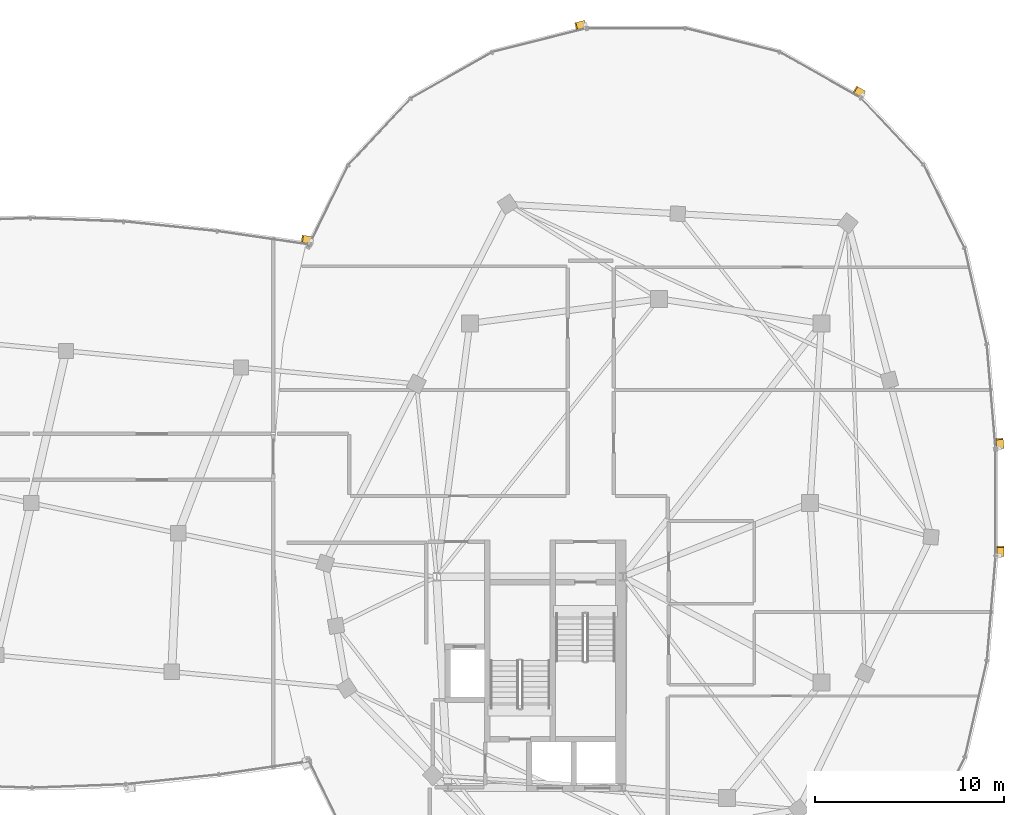
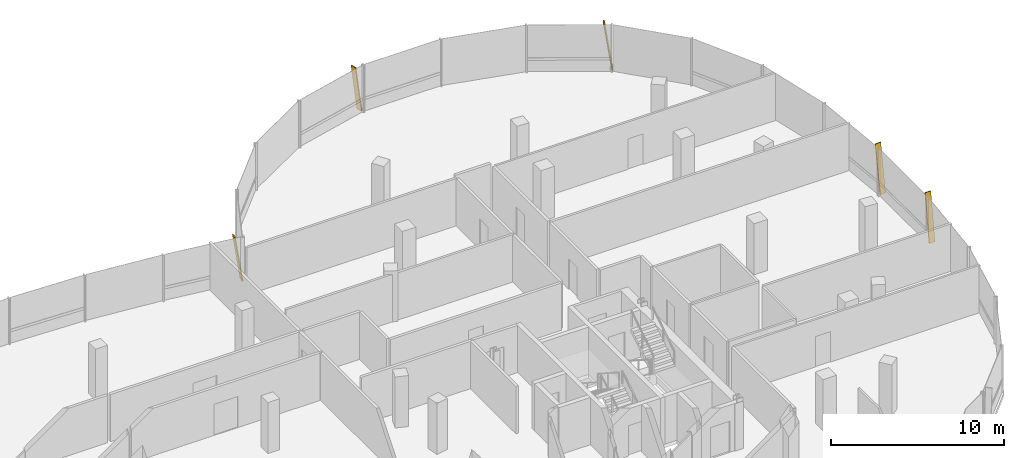
# One storey, part 25 of 25: 5 shading devices.
"""IFC4 building model written with IfcOpenShell, lengths in metres."""

from ifc_helpers import new_model, si_unit, direction, frame, origin, origin_2d, place, context, subcontext, project, spatial, rectangle, extrude, material, material_profile, profile_set, type_object, element, save


model = new_model("IFC4")

# Units and contexts
model_context = context("Model", 3, precision=1e-05, world=origin(), true_north=direction((0.0, 1.0)))
body_context = subcontext(model_context, "Body", "Model", "MODEL_VIEW")
ifc_project = project(units=[si_unit("LENGTHUNIT", "METRE"), si_unit("AREAUNIT", "SQUARE_METRE"), si_unit("VOLUMEUNIT", "CUBIC_METRE"), si_unit("PLANEANGLEUNIT", "RADIAN"), si_unit("MASSUNIT", "GRAM", prefix="KILO"), si_unit("THERMODYNAMICTEMPERATUREUNIT", "KELVIN"), si_unit("POWERUNIT", "WATT")], contexts=[model_context])

# Site, building, storey
site_placement = place(None, origin())
site = spatial("IfcSite", under=ifc_project, at=site_placement, CompositionType="ELEMENT")
building_placement = place(site_placement, origin())
building = spatial("IfcBuilding", under=site, at=building_placement, Name="Cundina Bronze Exchange", CompositionType="ELEMENT")
storey_placement = place(building_placement, frame((0.0, 0.0, 246.800048828125)))
storey = spatial("IfcBuildingStorey", under=building, at=storey_placement, Name="L65", CompositionType="ELEMENT", Elevation=246.800048828125)

# Shading devices
ifc_material = material(Name="Anodised Bronze Aluminium 6063-T6", Category="aluminium")
ifc_material_profile = material_profile(ifc_material, rectangle(XDim=0.070068359375, YDim=0.3798828125, at=origin_2d()), Name="FIN70X380", Category="aluminium")
ifc_profile_set = profile_set([ifc_material_profile], Name="Anodised Bronze Aluminium 6063-T6")
shading_device_type = type_object("IfcShadingDeviceType", Name="SHD-FIN-BRZ380", PredefinedType="USERDEFINED", material=ifc_profile_set)
for number, where, z_axis, x_axis, name in (
    (1, (51.26416015625, 2.90625, 0.02001953125), (-0.012006555776, 0.143419772964, 0.98958911238), (0.082555834947, -0.986139516224, 0.143921466983), "L65 Diagonal Bronze Solar Fin 1"),
    (2, (44.0126953125, 21.63720703125, 0.02001953125), (-0.125189514072, 0.071087145125, 0.989582843103), (0.860526986551, -0.488638423358, 0.143964567292), "L65 Diagonal Bronze Solar Fin 5"),
    (3, (29.290771484375, 25.343505859375, 0.02001953125), (-0.139611891367, -0.03514090606, 0.989582556693), (0.959650042543, 0.24154799183, 0.143966536007), "L65 Diagonal Bronze Solar Fin 1"),
    (4, (51.26904296875, -2.79150390625, 0.02001953125), (0.0, 0.143932024572, 0.989587576874), (0.0, -0.989587576874, 0.143932024572), "L65 Diagonal Bronze Solar Fin 5"),
):
    element("IfcShadingDevice", number, at=place(storey_placement, frame(where, z_axis=z_axis, x_axis=x_axis)), inside=storey, type_object=shading_device_type, Name=name, ObjectType="FIN", PredefinedType="USERDEFINED", context=body_context, shape_type="SweptSolid", body=[
        extrude(rectangle(XDim=0.070068359375, YDim=0.3798828125, at=origin_2d()), origin(), (0.0, 0.0, 1.0), 3.334716796875),
    ])
shading_device_placement = place(storey_placement, frame((14.8154296875, 13.90625, 0.02001953125), z_axis=(-0.145051508968, 0.021168873868, 0.989197623595), x_axis=(0.978828704224, -0.142850643371, 0.1465880673)))
element("IfcShadingDevice", 5, at=shading_device_placement, inside=storey, type_object=shading_device_type, Name="L65 Diagonal Bronze Solar Fin 1", ObjectType="FIN", PredefinedType="USERDEFINED", context=body_context, shape_type="SweptSolid", body=[
    extrude(rectangle(XDim=0.070068359375, YDim=0.3798828125, at=origin_2d()), origin(), (0.0, 0.0, 1.0), 3.275390625),
])

save(model, "model.ifc")
